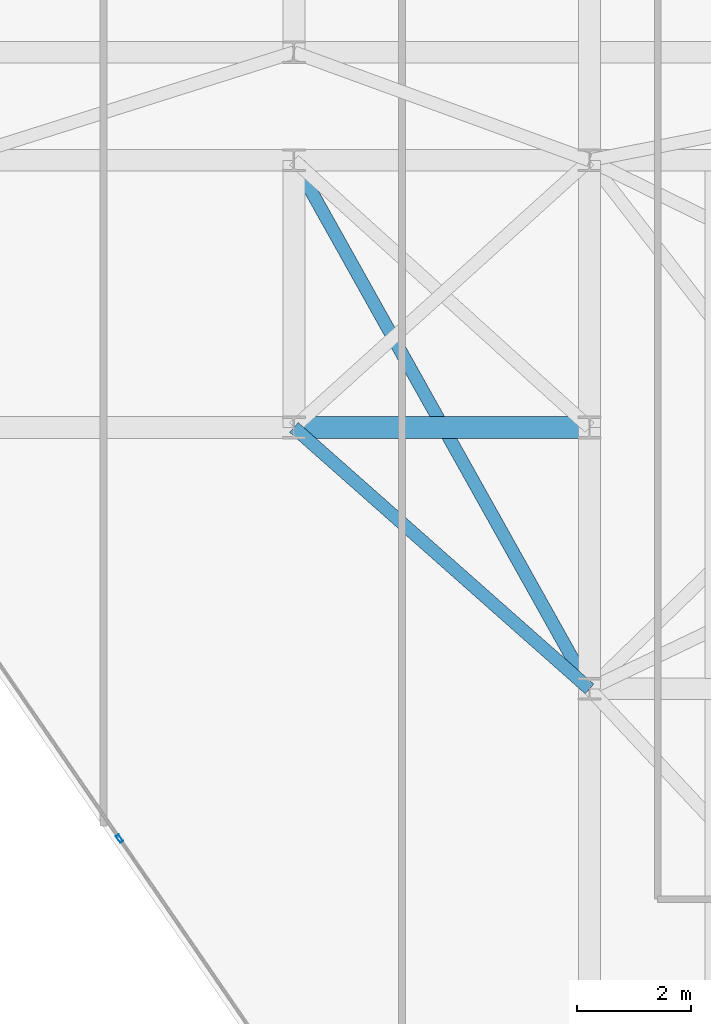
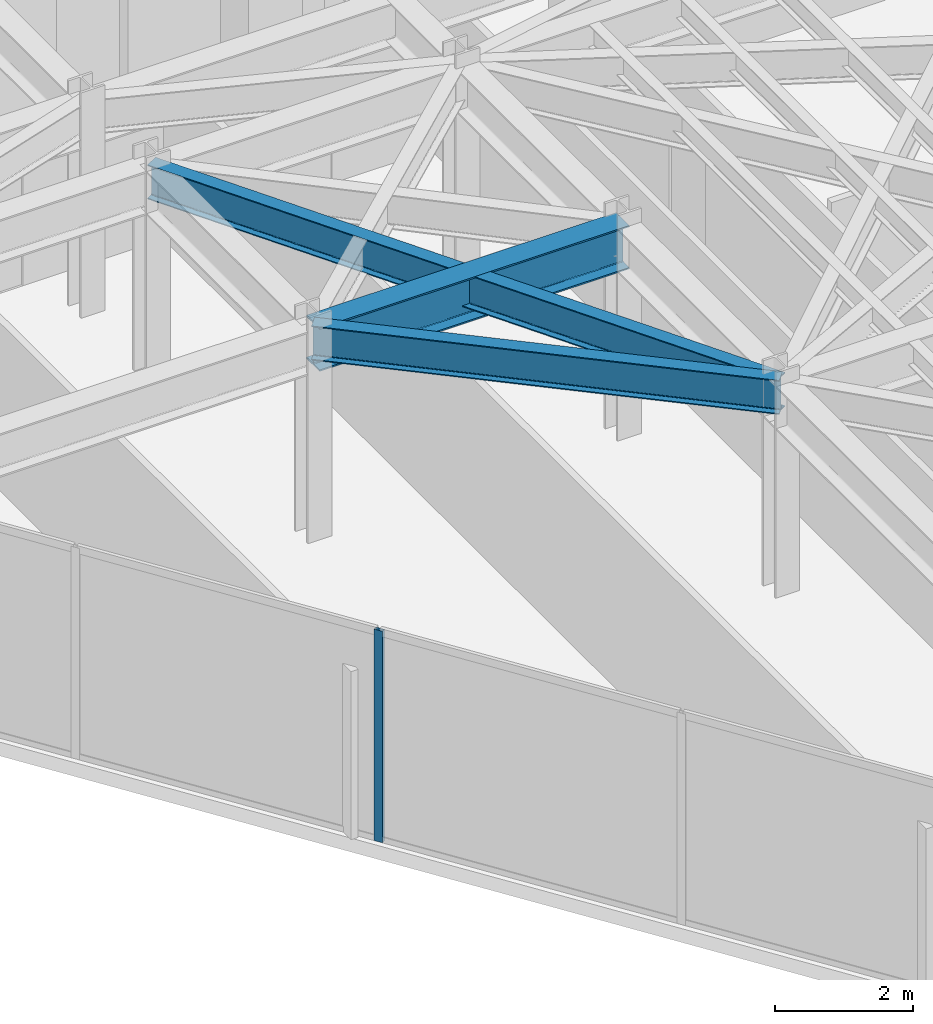
# One storey, part 18 of 27: 3 beams, 1 member, 1 element without a shape of its own.
"""IFC4 building model written with IfcOpenShell, lengths in metres."""

from ifc_helpers import new_model, si_unit, direction, frame, origin, origin_2d, place, context, subcontext, project, spatial, hollow_rectangle, i_section, extrude, material, layer, layer_set, material_profile, profile_set, type_object, element, aggregate, save


model = new_model("IFC4")

# Units and contexts
model_context = context("Model", 3, precision=1e-05, world=origin(), true_north=direction((0.0, 1.0)))
body_context = subcontext(model_context, "Body", "Model", "MODEL_VIEW")
ifc_project = project(units=[si_unit("LENGTHUNIT", "METRE"), si_unit("AREAUNIT", "SQUARE_METRE"), si_unit("VOLUMEUNIT", "CUBIC_METRE"), si_unit("PLANEANGLEUNIT", "RADIAN"), si_unit("MASSUNIT", "GRAM", prefix="KILO")], contexts=[model_context])

# Site, building, storey
site_placement = place(None, origin())
site = spatial("IfcSite", under=ifc_project, at=site_placement, CompositionType="ELEMENT")
building_placement = place(site_placement, origin())
building = spatial("IfcBuilding", under=site, at=building_placement, Name="Kravanh Interchange Tower", CompositionType="ELEMENT")
storey_placement = place(building_placement, frame((0.0, 0.0, 196.5)))
storey = spatial("IfcBuildingStorey", under=building, at=storey_placement, Name="L47", CompositionType="ELEMENT", Elevation=196.5)

# Curtain wall, member
ifc_material_1 = material(Name="Anodised Bronze Aluminium", Category="aluminium")
ifc_layer = layer(ifc_material_1, 0.179931640625)
ifc_layer_set = layer_set([ifc_layer], Name="Unitised Curtain Wall System CW-Z3 Upper Office")
curtain_wall_type = type_object("IfcCurtainWallType", Name="Unitised Curtain Wall System CW-Z3 Upper Office", PredefinedType="NOTDEFINED", material=ifc_layer_set)
curtain_wall_placement = place(storey_placement, origin())
curtain_wall = element("IfcCurtainWall", 1, at=curtain_wall_placement, inside=storey, type_object=curtain_wall_type, Name="L47 Unitised Curtain Wall CW-L47-04", PredefinedType="NOTDEFINED")
ifc_material_2 = material(Name="Anodised Bronze Aluminium", Category="aluminium")
ifc_material_profile_1 = material_profile(ifc_material_2, hollow_rectangle(XDim=0.06005859375, YDim=0.139892578125, WallThickness=0.00390625, at=origin_2d()), Name="ALU60X140X4")
ifc_profile_set_1 = profile_set([ifc_material_profile_1], Name="Anodised Bronze Aluminium")
member_type = type_object("IfcMemberType", Name="Curtain Wall Mullion ALU60X140X4 Bronze", PredefinedType="MULLION", material=ifc_profile_set_1)
member_placement = place(storey_placement, frame((47.7314453125, 19.56591796875, 0.0), z_axis=(0.0, 0.0, 1.0), x_axis=(-0.824042223035, -0.566528388217, 0.0)))
member = element("IfcMember", 2, at=member_placement, type_object=member_type, Name="CW-Z3 mullion 3", PredefinedType="MULLION", context=body_context, shape_type="SweptSolid", body=[
    extrude(hollow_rectangle(XDim=0.06005859375, YDim=0.139892578125, WallThickness=0.00390625, at=origin_2d()), origin(), (0.0, 0.0, 1.0), 3.7548828125),
])
aggregate(curtain_wall, [member])

# Beams
ifc_material_3 = material(Name="Structural Steel S355", Category="steel")
ifc_material_profile_2 = material_profile(ifc_material_3, i_section(OverallWidth=0.381103515625, OverallDepth=0.77294921875, WebThickness=0.0166015625, FlangeThickness=0.027099609375, FilletRadius=0.02490234375, at=origin_2d()), Name="W30X173")
ifc_profile_set_2 = profile_set([ifc_material_profile_2], Name="Structural Steel S355")
beam_type_1 = type_object("IfcBeamType", Name="Floor Beam W30X173 Structural Steel S355", PredefinedType="BEAM", material=ifc_profile_set_2)
beam_1_placement = place(storey_placement, frame((50.800048828125, 26.800048828125, 3.368408203125), z_axis=(1.0, 0.0, 0.0), x_axis=(0.0, 1.0, 0.0)))
element("IfcBeam", 3, at=beam_1_placement, inside=storey, type_object=beam_type_1, Name="L47 Primary Floor Girder 50", PredefinedType="BEAM", context=body_context, shape_type="SweptSolid", body=[
    extrude(i_section(OverallWidth=0.381103515625, OverallDepth=0.77294921875, WebThickness=0.0166015625, FlangeThickness=0.027099609375, FilletRadius=0.02490234375, at=origin_2d()), origin(), (0.0, 0.0, 1.0), 5.199951171875),
])
ifc_material_4 = material(Name="Structural Steel S355", Category="steel")
ifc_material_profile_3 = material_profile(ifc_material_4, i_section(OverallWidth=0.22802734375, OverallDepth=0.60791015625, WebThickness=0.01123046875, FlangeThickness=0.017333984375, FilletRadius=0.02197265625, at=origin_2d()), Name="W24X76")
ifc_profile_set_3 = profile_set([ifc_material_profile_3], Name="Structural Steel S355")
beam_type_2 = type_object("IfcBeamType", Name="Floor Spandrel W24X76 Structural Steel S355", PredefinedType="SPANDREL", material=ifc_profile_set_3)
beam_2_placement = place(storey_placement, frame((50.800048828125, 26.800048828125, 3.450927734375), z_axis=(0.74898649432, -0.662585263439, 0.0), x_axis=(0.662585263439, 0.74898649432, 0.0)))
element("IfcBeam", 4, at=beam_2_placement, inside=storey, type_object=beam_type_2, Name="L47 Perimeter Spandrel 51", PredefinedType="SPANDREL", context=body_context, shape_type="SweptSolid", body=[
    extrude(i_section(OverallWidth=0.22802734375, OverallDepth=0.60791015625, WebThickness=0.01123046875, FlangeThickness=0.017333984375, FilletRadius=0.02197265625, at=origin_2d()), origin(), (0.0, 0.0, 1.0), 6.942626953125),
])
beam_3_placement = place(storey_placement, frame((50.800048828125, 31.5, 3.450927734375), z_axis=(0.488026248114, -0.872828952975, 0.0), x_axis=(0.872828952975, 0.488026248114, 0.0)))
element("IfcBeam", 5, at=beam_3_placement, inside=storey, type_object=beam_type_2, Name="L47 Perimeter Spandrel 78", PredefinedType="SPANDREL", context=body_context, shape_type="SweptSolid", body=[
    extrude(i_section(OverallWidth=0.22802734375, OverallDepth=0.60791015625, WebThickness=0.01123046875, FlangeThickness=0.017333984375, FilletRadius=0.02197265625, at=origin_2d()), origin(), (0.0, 0.0, 1.0), 10.655029296875),
])

save(model, "model.ifc")
